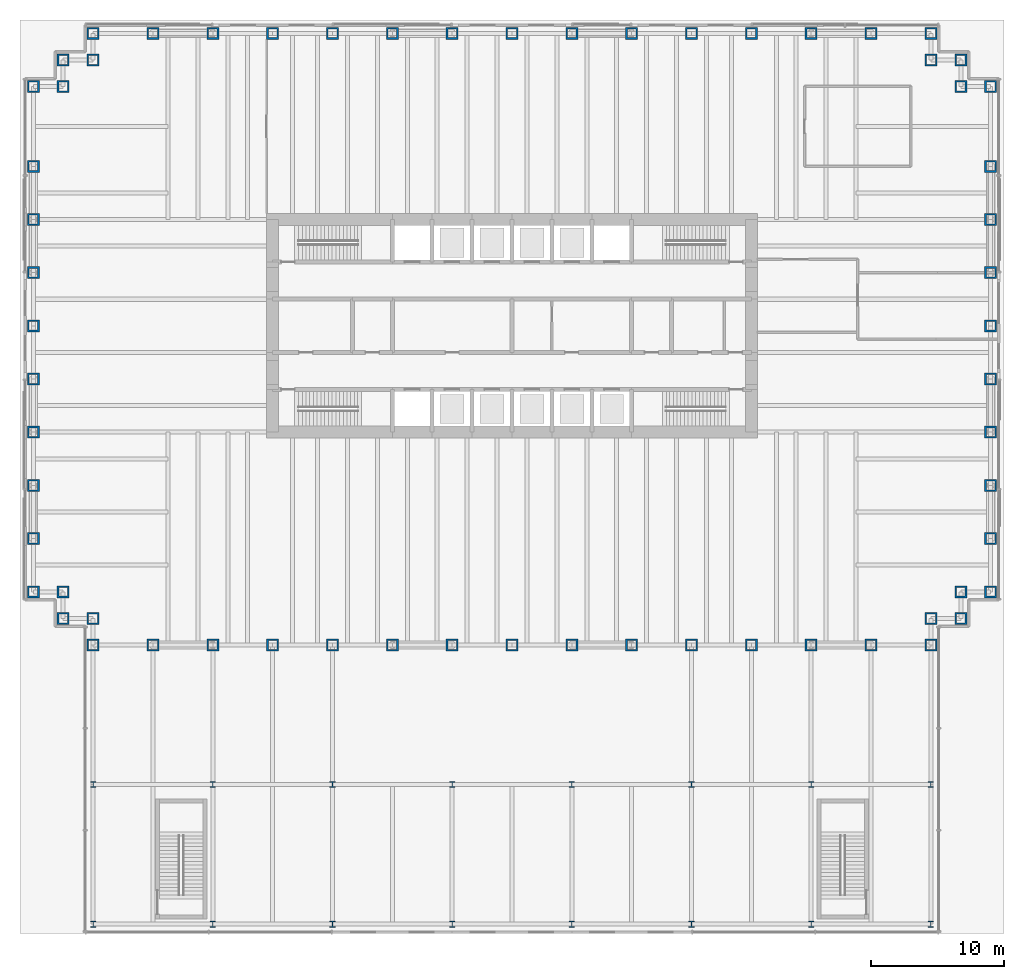
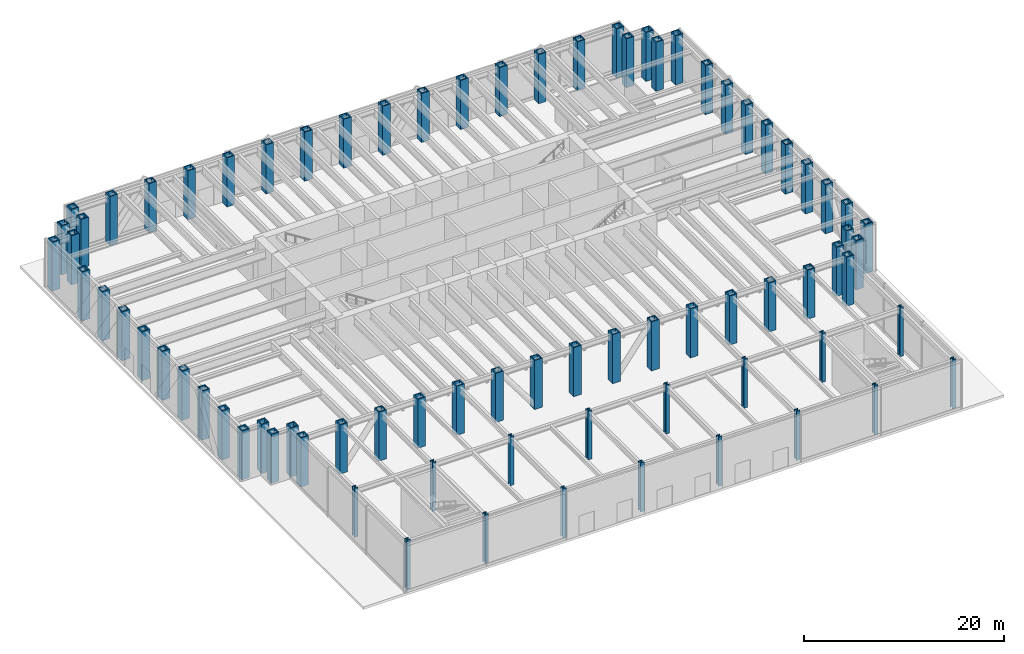
# One storey, part 1 of 17: 78 columns.
"""IFC4 building model written with IfcOpenShell, lengths in metres."""

from ifc_helpers import new_model, si_unit, direction, frame, origin, origin_2d, place, context, subcontext, project, spatial, hollow_rectangle, i_section, extrude, material, material_profile, profile_set, type_object, element, save


model = new_model("IFC4")

# Units and contexts
model_context = context("Model", 3, precision=1e-05, world=origin(), true_north=direction((0.0, 1.0)))
body_context = subcontext(model_context, "Body", "Model", "MODEL_VIEW")
ifc_project = project(units=[si_unit("LENGTHUNIT", "METRE"), si_unit("AREAUNIT", "SQUARE_METRE"), si_unit("VOLUMEUNIT", "CUBIC_METRE"), si_unit("PLANEANGLEUNIT", "RADIAN"), si_unit("MASSUNIT", "GRAM", prefix="KILO")], contexts=[model_context])

# Site, building, storey
site_placement = place(None, origin())
site = spatial("IfcSite", under=ifc_project, at=site_placement, CompositionType="ELEMENT")
building_placement = place(site_placement, origin())
building = spatial("IfcBuilding", under=site, at=building_placement, Name="Rheinbord Bourse Tower", CompositionType="ELEMENT")
storey_placement = place(building_placement, origin())
storey = spatial("IfcBuildingStorey", under=building, at=storey_placement, Name="L00", CompositionType="ELEMENT", Elevation=0.0)

# Columns
ifc_material_1 = material(Name="Steel S460", Category="steel")
ifc_material_profile_1 = material_profile(ifc_material_1, i_section(OverallWidth=0.424072265625, OverallDepth=0.47412109375, WebThickness=0.047607421875, FlangeThickness=0.0771484375, at=origin_2d()), Name="HD 400x634")
ifc_profile_set_1 = profile_set([ifc_material_profile_1], Name="Steel S460")
column_type_1 = type_object("IfcColumnType", Name="PODIUM COLUMN HD 400x634", PredefinedType="COLUMN", material=ifc_profile_set_1)
for number, where, z_axis, x_axis, name in (
    (1, (4.5, -21.0, 0.0), (0.0, 0.0, 1.0), (1.0, 0.0, 0.0), "Podium column 4.5 / -21 L00"),
    (2, (4.5, -10.5, 0.0), (0.0, 0.0, 1.0), (1.0, 0.0, 0.0), "Podium column 4.5 / -10.5 L00"),
    (3, (13.5, -21.0, 0.0), (0.0, 0.0, 1.0), (1.0, 0.0, 0.0), "Podium column 13.5 / -21 L00"),
    (4, (13.5, -10.5, 0.0), (0.0, 0.0, 1.0), (1.0, 0.0, 0.0), "Podium column 13.5 / -10.5 L00"),
    (5, (22.5, -21.0, 0.0), (0.0, 0.0, 1.0), (1.0, 0.0, 0.0), "Podium column 22.5 / -21 L00"),
    (6, (22.5, -10.5, 0.0), (0.0, 0.0, 1.0), (1.0, 0.0, 0.0), "Podium column 22.5 / -10.5 L00"),
    (7, (31.5, -21.0, 0.0), (0.0, 0.0, 1.0), (1.0, 0.0, 0.0), "Podium column 31.5 / -21 L00"),
    (8, (31.5, -10.5, 0.0), (0.0, 0.0, 1.0), (1.0, 0.0, 0.0), "Podium column 31.5 / -10.5 L00"),
    (9, (40.5, -21.0, 0.0), (0.0, 0.0, 1.0), (1.0, 0.0, 0.0), "Podium column 40.5 / -21 L00"),
    (10, (40.5, -10.5, 0.0), (0.0, 0.0, 1.0), (1.0, 0.0, 0.0), "Podium column 40.5 / -10.5 L00"),
    (11, (49.5, -21.0, 0.0), (0.0, 0.0, 1.0), (1.0, 0.0, 0.0), "Podium column 49.5 / -21 L00"),
    (12, (49.5, -10.5, 0.0), (0.0, 0.0, 1.0), (1.0, 0.0, 0.0), "Podium column 49.5 / -10.5 L00"),
    (13, (58.5, -21.0, 0.0), (0.0, 0.0, 1.0), (1.0, 0.0, 0.0), "Podium column 58.5 / -21 L00"),
    (14, (58.5, -10.5, 0.0), (0.0, 0.0, 1.0), (1.0, 0.0, 0.0), "Podium column 58.5 / -10.5 L00"),
    (15, (67.5, -21.0, 0.0), (0.0, 0.0, 1.0), (1.0, 0.0, 0.0), "Podium column 67.5 / -21 L00"),
    (16, (67.5, -10.5, 0.0), (0.0, 0.0, 1.0), (1.0, 0.0, 0.0), "Podium column 67.5 / -10.5 L00"),
):
    element("IfcColumn", number, at=place(storey_placement, frame(where, z_axis=z_axis, x_axis=x_axis)), inside=storey, type_object=column_type_1, Name=name, PredefinedType="COLUMN", context=body_context, shape_type="SweptSolid", body=[
        extrude(i_section(OverallWidth=0.424072265625, OverallDepth=0.47412109375, WebThickness=0.047607421875, FlangeThickness=0.0771484375, at=origin_2d()), origin(), (0.0, 0.0, 1.0), 6.0),
    ])
ifc_material_2 = material(Name="Steel S460M", Category="steel")
ifc_material_profile_2 = material_profile(ifc_material_2, hollow_rectangle(XDim=0.89990234375, YDim=0.89990234375, WallThickness=0.1201171875, at=origin_2d()), Name="BOX 900x900x120")
ifc_profile_set_2 = profile_set([ifc_material_profile_2], Name="Steel S460M")
column_type_2 = type_object("IfcColumnType", Name="TUBE COLUMN BOX 900x900x120", PredefinedType="COLUMN", material=ifc_profile_set_2)
for number, where, z_axis, x_axis, name in (
    (17, (4.5, 0.0, 0.0), (0.0, 0.0, 1.0), (0.0, 1.0, 0.0), "Column SW-E L00"),
    (18, (9.0, 0.0, 0.0), (0.0, 0.0, 1.0), (0.0, 1.0, 0.0), "Column S-9 L00"),
    (19, (13.5, 0.0, 0.0), (0.0, 0.0, 1.0), (0.0, 1.0, 0.0), "Column S-13.5 L00"),
    (20, (18.0, 0.0, 0.0), (0.0, 0.0, 1.0), (0.0, 1.0, 0.0), "Column S-18 L00"),
    (21, (22.5, 0.0, 0.0), (0.0, 0.0, 1.0), (0.0, 1.0, 0.0), "Column S-22.5 L00"),
    (22, (27.0, 0.0, 0.0), (0.0, 0.0, 1.0), (0.0, 1.0, 0.0), "Column S-27 L00"),
    (23, (31.5, 0.0, 0.0), (0.0, 0.0, 1.0), (0.0, 1.0, 0.0), "Column S-31.5 L00"),
    (24, (36.0, 0.0, 0.0), (0.0, 0.0, 1.0), (0.0, 1.0, 0.0), "Column S-36 L00"),
    (25, (40.5, 0.0, 0.0), (0.0, 0.0, 1.0), (0.0, 1.0, 0.0), "Column S-40.5 L00"),
    (26, (45.0, 0.0, 0.0), (0.0, 0.0, 1.0), (0.0, 1.0, 0.0), "Column S-45 L00"),
    (27, (49.5, 0.0, 0.0), (0.0, 0.0, 1.0), (0.0, 1.0, 0.0), "Column S-49.5 L00"),
    (28, (54.0, 0.0, 0.0), (0.0, 0.0, 1.0), (0.0, 1.0, 0.0), "Column S-54 L00"),
    (29, (58.5, 0.0, 0.0), (0.0, 0.0, 1.0), (0.0, 1.0, 0.0), "Column S-58.5 L00"),
    (30, (63.0, 0.0, 0.0), (0.0, 0.0, 1.0), (0.0, 1.0, 0.0), "Column S-63 L00"),
    (31, (67.5, 0.0, 0.0), (0.0, 0.0, 1.0), (0.0, 1.0, 0.0), "Column SE-E L00"),
    (32, (67.5, 2.0, 0.0), (0.0, 0.0, 1.0), (0.0, 1.0, 0.0), "Column SE-D L00"),
    (33, (69.75, 2.0, 0.0), (0.0, 0.0, 1.0), (1.0, 0.0, 0.0), "Column SE-C L00"),
    (34, (69.75, 4.0, 0.0), (0.0, 0.0, 1.0), (1.0, 0.0, 0.0), "Column SE-B L00"),
    (35, (72.0, 4.0, 0.0), (0.0, 0.0, 1.0), (1.0, 0.0, 0.0), "Column SE-A L00"),
    (36, (72.0, 8.0, 0.0), (0.0, 0.0, 1.0), (1.0, 0.0, 0.0), "Column E-8 L00"),
    (37, (72.0, 12.0, 0.0), (0.0, 0.0, 1.0), (1.0, 0.0, 0.0), "Column E-12 L00"),
    (38, (72.0, 16.0, 0.0), (0.0, 0.0, 1.0), (1.0, 0.0, 0.0), "Column E-16 L00"),
    (39, (72.0, 20.0, 0.0), (0.0, 0.0, 1.0), (1.0, 0.0, 0.0), "Column E-20 L00"),
    (40, (72.0, 24.0, 0.0), (0.0, 0.0, 1.0), (1.0, 0.0, 0.0), "Column E-24 L00"),
    (41, (72.0, 28.0, 0.0), (0.0, 0.0, 1.0), (1.0, 0.0, 0.0), "Column E-28 L00"),
    (42, (72.0, 32.0, 0.0), (0.0, 0.0, 1.0), (1.0, 0.0, 0.0), "Column E-32 L00"),
    (43, (72.0, 36.0, 0.0), (0.0, 0.0, 1.0), (1.0, 0.0, 0.0), "Column E-36 L00"),
    (44, (72.0, 42.0, 0.0), (0.0, 0.0, 1.0), (1.0, 0.0, 0.0), "Column NE-A L00"),
    (45, (69.75, 42.0, 0.0), (0.0, 0.0, 1.0), (1.0, 0.0, 0.0), "Column NE-B L00"),
    (46, (69.75, 44.0, 0.0), (0.0, 0.0, 1.0), (1.0, 0.0, 0.0), "Column NE-C L00"),
    (47, (67.5, 44.0, 0.0), (0.0, 0.0, 1.0), (0.0, 1.0, 0.0), "Column NE-D L00"),
    (48, (67.5, 46.0, 0.0), (0.0, 0.0, 1.0), (0.0, 1.0, 0.0), "Column NE-E L00"),
    (49, (63.0, 46.0, 0.0), (0.0, 0.0, 1.0), (0.0, 1.0, 0.0), "Column N-63 L00"),
    (50, (58.5, 46.0, 0.0), (0.0, 0.0, 1.0), (0.0, 1.0, 0.0), "Column N-58.5 L00"),
    (51, (54.0, 46.0, 0.0), (0.0, 0.0, 1.0), (0.0, 1.0, 0.0), "Column N-54 L00"),
    (52, (49.5, 46.0, 0.0), (0.0, 0.0, 1.0), (0.0, 1.0, 0.0), "Column N-49.5 L00"),
    (53, (45.0, 46.0, 0.0), (0.0, 0.0, 1.0), (0.0, 1.0, 0.0), "Column N-45 L00"),
    (54, (40.5, 46.0, 0.0), (0.0, 0.0, 1.0), (0.0, 1.0, 0.0), "Column N-40.5 L00"),
    (55, (36.0, 46.0, 0.0), (0.0, 0.0, 1.0), (0.0, 1.0, 0.0), "Column N-36 L00"),
    (56, (31.5, 46.0, 0.0), (0.0, 0.0, 1.0), (0.0, 1.0, 0.0), "Column N-31.5 L00"),
    (57, (27.0, 46.0, 0.0), (0.0, 0.0, 1.0), (0.0, 1.0, 0.0), "Column N-27 L00"),
    (58, (22.5, 46.0, 0.0), (0.0, 0.0, 1.0), (0.0, 1.0, 0.0), "Column N-22.5 L00"),
    (59, (18.0, 46.0, 0.0), (0.0, 0.0, 1.0), (0.0, 1.0, 0.0), "Column N-18 L00"),
    (60, (13.5, 46.0, 0.0), (0.0, 0.0, 1.0), (0.0, 1.0, 0.0), "Column N-13.5 L00"),
    (61, (9.0, 46.0, 0.0), (0.0, 0.0, 1.0), (0.0, 1.0, 0.0), "Column N-9 L00"),
    (62, (4.5, 46.0, 0.0), (0.0, 0.0, 1.0), (0.0, 1.0, 0.0), "Column NW-E L00"),
    (63, (4.5, 44.0, 0.0), (0.0, 0.0, 1.0), (0.0, 1.0, 0.0), "Column NW-D L00"),
    (64, (2.25, 44.0, 0.0), (0.0, 0.0, 1.0), (1.0, 0.0, 0.0), "Column NW-C L00"),
    (65, (2.25, 42.0, 0.0), (0.0, 0.0, 1.0), (1.0, 0.0, 0.0), "Column NW-B L00"),
    (66, (0.0, 42.0, 0.0), (0.0, 0.0, 1.0), (1.0, 0.0, 0.0), "Column NW-A L00"),
    (67, (0.0, 36.0, 0.0), (0.0, 0.0, 1.0), (1.0, 0.0, 0.0), "Column W-36 L00"),
    (68, (0.0, 32.0, 0.0), (0.0, 0.0, 1.0), (1.0, 0.0, 0.0), "Column W-32 L00"),
    (69, (0.0, 28.0, 0.0), (0.0, 0.0, 1.0), (1.0, 0.0, 0.0), "Column W-28 L00"),
    (70, (0.0, 24.0, 0.0), (0.0, 0.0, 1.0), (1.0, 0.0, 0.0), "Column W-24 L00"),
    (71, (0.0, 20.0, 0.0), (0.0, 0.0, 1.0), (1.0, 0.0, 0.0), "Column W-20 L00"),
    (72, (0.0, 16.0, 0.0), (0.0, 0.0, 1.0), (1.0, 0.0, 0.0), "Column W-16 L00"),
    (73, (0.0, 12.0, 0.0), (0.0, 0.0, 1.0), (1.0, 0.0, 0.0), "Column W-12 L00"),
    (74, (0.0, 8.0, 0.0), (0.0, 0.0, 1.0), (1.0, 0.0, 0.0), "Column W-8 L00"),
    (75, (0.0, 4.0, 0.0), (0.0, 0.0, 1.0), (1.0, 0.0, 0.0), "Column SW-A L00"),
    (76, (2.25, 4.0, 0.0), (0.0, 0.0, 1.0), (1.0, 0.0, 0.0), "Column SW-B L00"),
    (77, (2.25, 2.0, 0.0), (0.0, 0.0, 1.0), (1.0, 0.0, 0.0), "Column SW-C L00"),
    (78, (4.5, 2.0, 0.0), (0.0, 0.0, 1.0), (0.0, 1.0, 0.0), "Column SW-D L00"),
):
    element("IfcColumn", number, at=place(storey_placement, frame(where, z_axis=z_axis, x_axis=x_axis)), inside=storey, type_object=column_type_2, Name=name, PredefinedType="COLUMN", context=body_context, shape_type="SweptSolid", body=[
        extrude(hollow_rectangle(XDim=0.89990234375, YDim=0.89990234375, WallThickness=0.1201171875, at=origin_2d()), origin(), (0.0, 0.0, 1.0), 6.0),
    ])

save(model, "model.ifc")
